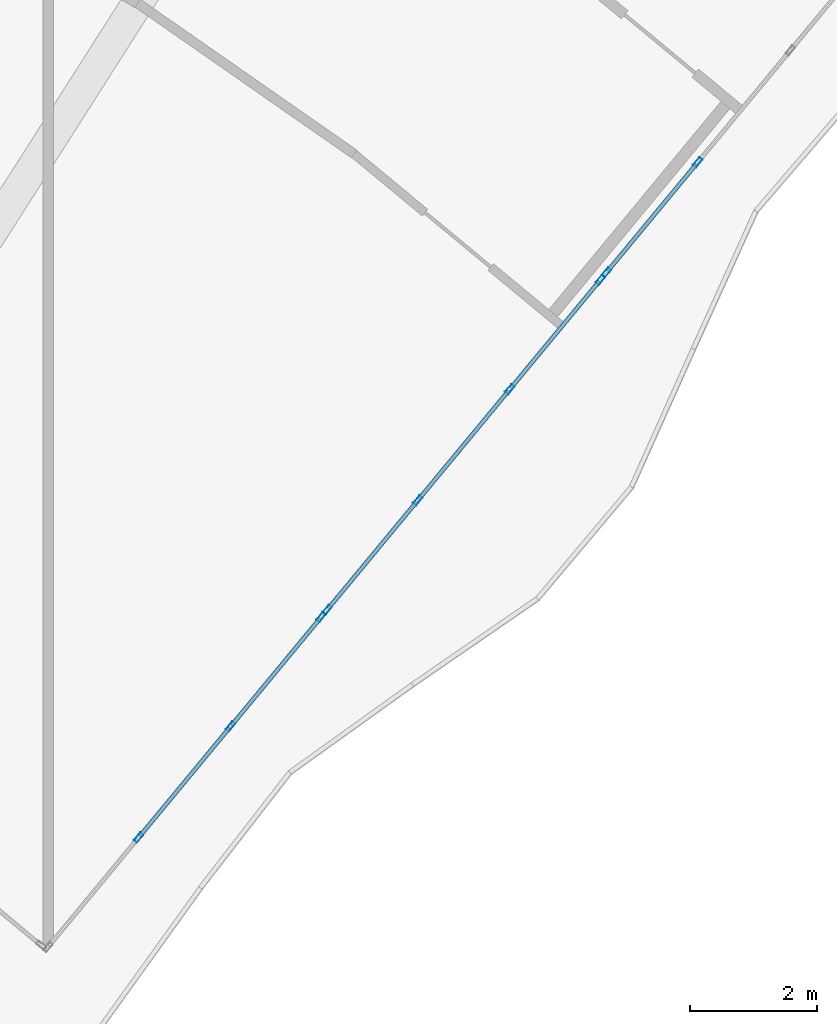
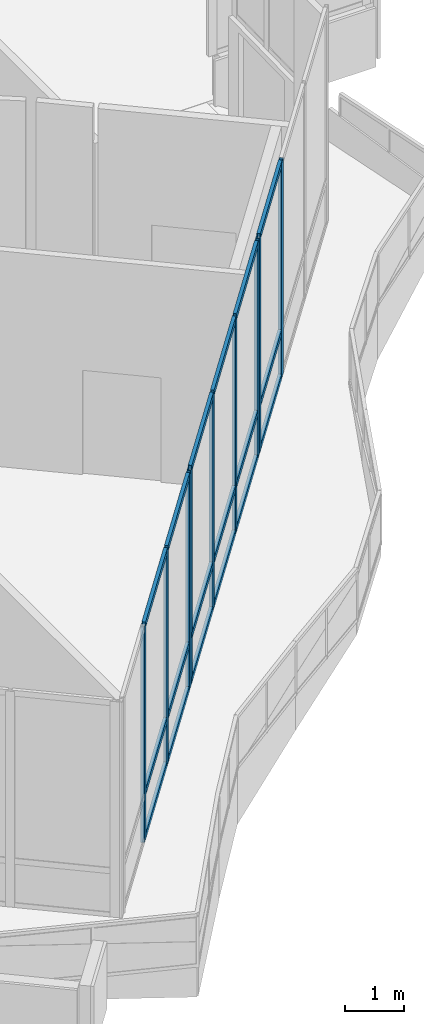
# One storey, part 105 of 168: 27 members, 3 elements without a shape of their own.
"""IFC4 building model written with IfcOpenShell, lengths in metres."""

from ifc_helpers import new_model, si_unit, direction, frame, origin, origin_2d, place, context, subcontext, project, spatial, hollow_rectangle, extrude, material, material_profile, profile_set, type_object, element, aggregate, save


model = new_model("IFC4")

# Units and contexts
model_context = context("Model", 3, precision=1e-05, world=origin(), true_north=direction((0.0, 1.0)))
body_context = subcontext(model_context, "Body", "Model", "MODEL_VIEW")
ifc_project = project(units=[si_unit("LENGTHUNIT", "METRE"), si_unit("AREAUNIT", "SQUARE_METRE"), si_unit("VOLUMEUNIT", "CUBIC_METRE"), si_unit("PLANEANGLEUNIT", "RADIAN"), si_unit("MASSUNIT", "GRAM", prefix="KILO")], contexts=[model_context])

# Site, building, storey
site_placement = place(None, origin())
site = spatial("IfcSite", under=ifc_project, at=site_placement, CompositionType="ELEMENT")
building_placement = place(site_placement, origin())
building = spatial("IfcBuilding", under=site, at=building_placement, Name="Selatvlak General Hospital", CompositionType="ELEMENT")
storey_placement = place(building_placement, frame((0.0, 0.0, 5.39990234375)))
storey = spatial("IfcBuildingStorey", under=building, at=storey_placement, Name="L01", CompositionType="ELEMENT", Elevation=5.39990234375)

# Curtain wall, members
ifc_material_1 = material(Name="Solar-control Low-E double glazing", Category="glass")
curtain_wall_type_1 = type_object("IfcCurtainWallType", Name="CW-CW-01", PredefinedType="USERDEFINED", material=ifc_material_1)
curtain_wall_1_placement = place(storey_placement, origin())
curtain_wall_1 = element("IfcCurtainWall", 1, at=curtain_wall_1_placement, inside=storey, type_object=curtain_wall_type_1, Name="Glazed facade curtain wall CW-L01-0141", ObjectType="UNITISED CURTAIN WALL", PredefinedType="USERDEFINED")
ifc_material_2 = material(Name="Dark anodised aluminium mullion", Category="aluminium")
ifc_material_profile_1 = material_profile(ifc_material_2, hollow_rectangle(XDim=0.06494140625, YDim=0.159912109375, WallThickness=0.00390625, at=origin_2d()), Name="AL-MUL 65x160x4")
ifc_profile_set_1 = profile_set([ifc_material_profile_1], Name="Dark anodised aluminium mullion")
member_type_1 = type_object("IfcMemberType", Name="CWM-01", PredefinedType="MULLION", material=ifc_profile_set_1)
member_1_placement = place(storey_placement, frame((175.862060546875, 56.4013671875, 0.0), z_axis=(0.0, 0.0, 1.0), x_axis=(0.770276263968, -0.637710339549, 0.0)))
member_1 = element("IfcMember", 2, at=member_1_placement, type_object=member_type_1, Name="CW-01 mullion 3", PredefinedType="MULLION", context=body_context, shape_type="SweptSolid", body=[
    extrude(hollow_rectangle(XDim=0.06494140625, YDim=0.159912109375, WallThickness=0.00390625, at=origin_2d()), origin(), (0.0, 0.0, 1.0), 4.445068359375),
])
member_2_placement = place(storey_placement, frame((174.418701171875, 54.657958984375, 0.0), z_axis=(0.0, 0.0, 1.0), x_axis=(0.770276263968, -0.637710339549, 0.0)))
member_2 = element("IfcMember", 3, at=member_2_placement, type_object=member_type_1, Name="CW-01 mullion 4", PredefinedType="MULLION", context=body_context, shape_type="SweptSolid", body=[
    extrude(hollow_rectangle(XDim=0.06494140625, YDim=0.159912109375, WallThickness=0.00390625, at=origin_2d()), origin(), (0.0, 0.0, 1.0), 4.445068359375),
])

curtain_wall_type_2 = type_object("IfcCurtainWallType", Name="CW-CW-02", PredefinedType="USERDEFINED", material=ifc_material_1)
curtain_wall_2_placement = place(storey_placement, origin())
curtain_wall_2 = element("IfcCurtainWall", 4, at=curtain_wall_2_placement, inside=storey, type_object=curtain_wall_type_2, Name="Glazed facade curtain wall CW-L01-0142", ObjectType="UNITISED CURTAIN WALL", PredefinedType="USERDEFINED")
member_3_placement = place(storey_placement, frame((174.3251953125, 54.544921875, 0.0), z_axis=(0.0, 0.0, 1.0), x_axis=(0.770183720122, -0.637822104712, 0.0)))
member_3 = element("IfcMember", 5, at=member_3_placement, type_object=member_type_1, Name="CW-02 mullion 1", PredefinedType="MULLION", context=body_context, shape_type="SweptSolid", body=[
    extrude(hollow_rectangle(XDim=0.06494140625, YDim=0.159912109375, WallThickness=0.00390625, at=origin_2d()), origin(), (0.0, 0.0, 1.0), 4.445068359375),
])
member_4_placement = place(storey_placement, frame((172.892333984375, 52.814697265625, 0.0), z_axis=(0.0, 0.0, 1.0), x_axis=(0.770183720122, -0.637822104712, 0.0)))
member_4 = element("IfcMember", 6, at=member_4_placement, type_object=member_type_1, Name="CW-02 mullion 2", PredefinedType="MULLION", context=body_context, shape_type="SweptSolid", body=[
    extrude(hollow_rectangle(XDim=0.06494140625, YDim=0.159912109375, WallThickness=0.00390625, at=origin_2d()), origin(), (0.0, 0.0, 1.0), 4.445068359375),
])
member_5_placement = place(storey_placement, frame((171.438720703125, 51.059326171875, 0.0), z_axis=(0.0, 0.0, 1.0), x_axis=(0.770183720122, -0.637822104712, 0.0)))
member_5 = element("IfcMember", 7, at=member_5_placement, type_object=member_type_1, Name="CW-02 mullion 3", PredefinedType="MULLION", context=body_context, shape_type="SweptSolid", body=[
    extrude(hollow_rectangle(XDim=0.06494140625, YDim=0.159912109375, WallThickness=0.00390625, at=origin_2d()), origin(), (0.0, 0.0, 1.0), 4.445068359375),
])
member_6_placement = place(storey_placement, frame((170.005615234375, 49.3291015625, 0.0), z_axis=(0.0, 0.0, 1.0), x_axis=(0.770183720122, -0.637822104712, 0.0)))
member_6 = element("IfcMember", 8, at=member_6_placement, type_object=member_type_1, Name="CW-02 mullion 4", PredefinedType="MULLION", context=body_context, shape_type="SweptSolid", body=[
    extrude(hollow_rectangle(XDim=0.06494140625, YDim=0.159912109375, WallThickness=0.00390625, at=origin_2d()), origin(), (0.0, 0.0, 1.0), 4.445068359375),
])

curtain_wall_3_placement = place(storey_placement, origin())
curtain_wall_3 = element("IfcCurtainWall", 9, at=curtain_wall_3_placement, inside=storey, type_object=curtain_wall_type_1, Name="Glazed facade curtain wall CW-L01-0143", ObjectType="UNITISED CURTAIN WALL", PredefinedType="USERDEFINED")
member_7_placement = place(storey_placement, frame((169.912353515625, 49.216064453125, 0.0), z_axis=(0.0, 0.0, 1.0), x_axis=(0.770255568727, -0.637735336049, 0.0)))
member_7 = element("IfcMember", 10, at=member_7_placement, type_object=member_type_1, Name="CW-01 mullion 1", PredefinedType="MULLION", context=body_context, shape_type="SweptSolid", body=[
    extrude(hollow_rectangle(XDim=0.06494140625, YDim=0.159912109375, WallThickness=0.00390625, at=origin_2d()), origin(), (0.0, 0.0, 1.0), 4.445068359375),
])
member_8_placement = place(storey_placement, frame((168.479736328125, 47.485595703125, 0.0), z_axis=(0.0, 0.0, 1.0), x_axis=(0.770255568727, -0.637735336049, 0.0)))
member_8 = element("IfcMember", 11, at=member_8_placement, type_object=member_type_1, Name="CW-01 mullion 2", PredefinedType="MULLION", context=body_context, shape_type="SweptSolid", body=[
    extrude(hollow_rectangle(XDim=0.06494140625, YDim=0.159912109375, WallThickness=0.00390625, at=origin_2d()), origin(), (0.0, 0.0, 1.0), 4.445068359375),
])
member_9_placement = place(storey_placement, frame((167.0263671875, 45.730224609375, 0.0), z_axis=(0.0, 0.0, 1.0), x_axis=(0.770255568727, -0.637735336049, 0.0)))
member_9 = element("IfcMember", 12, at=member_9_placement, type_object=member_type_1, Name="CW-01 mullion 3", PredefinedType="MULLION", context=body_context, shape_type="SweptSolid", body=[
    extrude(hollow_rectangle(XDim=0.06494140625, YDim=0.159912109375, WallThickness=0.00390625, at=origin_2d()), origin(), (0.0, 0.0, 1.0), 4.445068359375),
])

# Member
ifc_material_profile_2 = material_profile(ifc_material_2, hollow_rectangle(XDim=0.06494140625, YDim=0.1201171875, WallThickness=0.00390625, at=origin_2d()), Name="AL-TRN 65x120x4")
ifc_profile_set_2 = profile_set([ifc_material_profile_2], Name="Dark anodised aluminium mullion")
member_type_2 = type_object("IfcMemberType", Name="CWT-01", PredefinedType="USERDEFINED", material=ifc_profile_set_2)
member_10_placement = place(storey_placement, frame((175.84130859375, 56.376220703125, 0.03271484375), z_axis=(-0.637744996287, -0.770247570402, 0.0), x_axis=(0.770247570402, -0.637744996287, 0.0)))
member_10 = element("IfcMember", 13, at=member_10_placement, type_object=member_type_2, Name="CW-01 transom 3.1", ObjectType="TRANSOM", PredefinedType="USERDEFINED", context=body_context, shape_type="SweptSolid", body=[
    extrude(hollow_rectangle(XDim=0.06494140625, YDim=0.1201171875, WallThickness=0.00390625, at=origin_2d()), origin(), (0.0, 0.0, 1.0), 2.1982421875),
])

member_11_placement = place(storey_placement, frame((175.84130859375, 56.376220703125, 0.9501953125), z_axis=(-0.637744996287, -0.770247570402, 0.0), x_axis=(0.770247570402, -0.637744996287, 0.0)))
member_11 = element("IfcMember", 14, at=member_11_placement, type_object=member_type_2, Name="CW-01 transom 3.2", ObjectType="TRANSOM", PredefinedType="USERDEFINED", context=body_context, shape_type="SweptSolid", body=[
    extrude(hollow_rectangle(XDim=0.06494140625, YDim=0.1201171875, WallThickness=0.00390625, at=origin_2d()), origin(), (0.0, 0.0, 1.0), 2.1982421875),
])

member_12_placement = place(storey_placement, frame((175.84130859375, 56.376220703125, 4.41259765625), z_axis=(-0.637744996287, -0.770247570402, 0.0), x_axis=(0.770247570402, -0.637744996287, 0.0)))
member_12 = element("IfcMember", 15, at=member_12_placement, type_object=member_type_2, Name="CW-01 transom 3.3", ObjectType="TRANSOM", PredefinedType="USERDEFINED", context=body_context, shape_type="SweptSolid", body=[
    extrude(hollow_rectangle(XDim=0.06494140625, YDim=0.1201171875, WallThickness=0.00390625, at=origin_2d()), origin(), (0.0, 0.0, 1.0), 2.1982421875),
])

aggregate(curtain_wall_1, [member_1, member_2, member_10, member_11, member_12])

member_13_placement = place(storey_placement, frame((174.304443359375, 54.52001953125, 0.03271484375), z_axis=(-0.637748624589, -0.770244566248, 0.0), x_axis=(0.770244566248, -0.637748624589, 0.0)))
member_13 = element("IfcMember", 16, at=member_13_placement, type_object=member_type_2, Name="CW-02 transom 1.1", ObjectType="TRANSOM", PredefinedType="USERDEFINED", context=body_context, shape_type="SweptSolid", body=[
    extrude(hollow_rectangle(XDim=0.06494140625, YDim=0.1201171875, WallThickness=0.00390625, at=origin_2d()), origin(), (0.0, 0.0, 1.0), 2.181640625),
])

member_14_placement = place(storey_placement, frame((174.304443359375, 54.52001953125, 0.9501953125), z_axis=(-0.637748624589, -0.770244566248, 0.0), x_axis=(0.770244566248, -0.637748624589, 0.0)))
member_14 = element("IfcMember", 17, at=member_14_placement, type_object=member_type_2, Name="CW-02 transom 1.2", ObjectType="TRANSOM", PredefinedType="USERDEFINED", context=body_context, shape_type="SweptSolid", body=[
    extrude(hollow_rectangle(XDim=0.06494140625, YDim=0.1201171875, WallThickness=0.00390625, at=origin_2d()), origin(), (0.0, 0.0, 1.0), 2.181640625),
])

member_15_placement = place(storey_placement, frame((174.304443359375, 54.52001953125, 4.41259765625), z_axis=(-0.637748624589, -0.770244566248, 0.0), x_axis=(0.770244566248, -0.637748624589, 0.0)))
member_15 = element("IfcMember", 18, at=member_15_placement, type_object=member_type_2, Name="CW-02 transom 1.3", ObjectType="TRANSOM", PredefinedType="USERDEFINED", context=body_context, shape_type="SweptSolid", body=[
    extrude(hollow_rectangle(XDim=0.06494140625, YDim=0.1201171875, WallThickness=0.00390625, at=origin_2d()), origin(), (0.0, 0.0, 1.0), 2.181640625),
])

member_16_placement = place(storey_placement, frame((172.87158203125, 52.78955078125, 0.03271484375), z_axis=(-0.637838501564, -0.770170140893, 0.0), x_axis=(0.770170140893, -0.637838501564, 0.0)))
member_16 = element("IfcMember", 19, at=member_16_placement, type_object=member_type_2, Name="CW-02 transom 2.1", ObjectType="TRANSOM", PredefinedType="USERDEFINED", context=body_context, shape_type="SweptSolid", body=[
    extrude(hollow_rectangle(XDim=0.06494140625, YDim=0.1201171875, WallThickness=0.00390625, at=origin_2d()), origin(), (0.0, 0.0, 1.0), 2.2138671875),
])

member_17_placement = place(storey_placement, frame((172.87158203125, 52.78955078125, 0.9501953125), z_axis=(-0.637838501564, -0.770170140893, 0.0), x_axis=(0.770170140893, -0.637838501564, 0.0)))
member_17 = element("IfcMember", 20, at=member_17_placement, type_object=member_type_2, Name="CW-02 transom 2.2", ObjectType="TRANSOM", PredefinedType="USERDEFINED", context=body_context, shape_type="SweptSolid", body=[
    extrude(hollow_rectangle(XDim=0.06494140625, YDim=0.1201171875, WallThickness=0.00390625, at=origin_2d()), origin(), (0.0, 0.0, 1.0), 2.2138671875),
])

member_18_placement = place(storey_placement, frame((172.87158203125, 52.78955078125, 4.41259765625), z_axis=(-0.637838501564, -0.770170140893, 0.0), x_axis=(0.770170140893, -0.637838501564, 0.0)))
member_18 = element("IfcMember", 21, at=member_18_placement, type_object=member_type_2, Name="CW-02 transom 2.3", ObjectType="TRANSOM", PredefinedType="USERDEFINED", context=body_context, shape_type="SweptSolid", body=[
    extrude(hollow_rectangle(XDim=0.06494140625, YDim=0.1201171875, WallThickness=0.00390625, at=origin_2d()), origin(), (0.0, 0.0, 1.0), 2.2138671875),
])

member_19_placement = place(storey_placement, frame((171.41796875, 51.034423828125, 0.03271484375), z_axis=(-0.637815008322, -0.770189596891, 0.0), x_axis=(0.770189596891, -0.637815008322, 0.0)))
member_19 = element("IfcMember", 22, at=member_19_placement, type_object=member_type_2, Name="CW-02 transom 3.1", ObjectType="TRANSOM", PredefinedType="USERDEFINED", context=body_context, shape_type="SweptSolid", body=[
    extrude(hollow_rectangle(XDim=0.06494140625, YDim=0.1201171875, WallThickness=0.00390625, at=origin_2d()), origin(), (0.0, 0.0, 1.0), 2.181884765625),
])

member_20_placement = place(storey_placement, frame((171.41796875, 51.034423828125, 0.9501953125), z_axis=(-0.637815008322, -0.770189596891, 0.0), x_axis=(0.770189596891, -0.637815008322, 0.0)))
member_20 = element("IfcMember", 23, at=member_20_placement, type_object=member_type_2, Name="CW-02 transom 3.2", ObjectType="TRANSOM", PredefinedType="USERDEFINED", context=body_context, shape_type="SweptSolid", body=[
    extrude(hollow_rectangle(XDim=0.06494140625, YDim=0.1201171875, WallThickness=0.00390625, at=origin_2d()), origin(), (0.0, 0.0, 1.0), 2.181884765625),
])

member_21_placement = place(storey_placement, frame((171.41796875, 51.034423828125, 4.41259765625), z_axis=(-0.637815008322, -0.770189596891, 0.0), x_axis=(0.770189596891, -0.637815008322, 0.0)))
member_21 = element("IfcMember", 24, at=member_21_placement, type_object=member_type_2, Name="CW-02 transom 3.3", ObjectType="TRANSOM", PredefinedType="USERDEFINED", context=body_context, shape_type="SweptSolid", body=[
    extrude(hollow_rectangle(XDim=0.06494140625, YDim=0.1201171875, WallThickness=0.00390625, at=origin_2d()), origin(), (0.0, 0.0, 1.0), 2.181884765625),
])

aggregate(curtain_wall_2, [member_3, member_4, member_5, member_6, member_13, member_14, member_15, member_16, member_17, member_18, member_19, member_20, member_21])

member_22_placement = place(storey_placement, frame((169.8916015625, 49.19091796875, 0.03271484375), z_axis=(-0.637737202299, -0.770254023556, 0.0), x_axis=(0.770254023556, -0.637737202299, 0.0)))
member_22 = element("IfcMember", 25, at=member_22_placement, type_object=member_type_2, Name="CW-01 transom 1.1", ObjectType="TRANSOM", PredefinedType="USERDEFINED", context=body_context, shape_type="SweptSolid", body=[
    extrude(hollow_rectangle(XDim=0.06494140625, YDim=0.1201171875, WallThickness=0.00390625, at=origin_2d()), origin(), (0.0, 0.0, 1.0), 2.181396484375),
])

member_23_placement = place(storey_placement, frame((169.8916015625, 49.19091796875, 0.9501953125), z_axis=(-0.637737202299, -0.770254023556, 0.0), x_axis=(0.770254023556, -0.637737202299, 0.0)))
member_23 = element("IfcMember", 26, at=member_23_placement, type_object=member_type_2, Name="CW-01 transom 1.2", ObjectType="TRANSOM", PredefinedType="USERDEFINED", context=body_context, shape_type="SweptSolid", body=[
    extrude(hollow_rectangle(XDim=0.06494140625, YDim=0.1201171875, WallThickness=0.00390625, at=origin_2d()), origin(), (0.0, 0.0, 1.0), 2.181396484375),
])

member_24_placement = place(storey_placement, frame((169.8916015625, 49.19091796875, 4.41259765625), z_axis=(-0.637737202299, -0.770254023556, 0.0), x_axis=(0.770254023556, -0.637737202299, 0.0)))
member_24 = element("IfcMember", 27, at=member_24_placement, type_object=member_type_2, Name="CW-01 transom 1.3", ObjectType="TRANSOM", PredefinedType="USERDEFINED", context=body_context, shape_type="SweptSolid", body=[
    extrude(hollow_rectangle(XDim=0.06494140625, YDim=0.1201171875, WallThickness=0.00390625, at=origin_2d()), origin(), (0.0, 0.0, 1.0), 2.181396484375),
])

member_25_placement = place(storey_placement, frame((168.458984375, 47.460693359375, 0.03271484375), z_axis=(-0.637718911245, -0.770269167395, 0.0), x_axis=(0.770269167395, -0.637718911245, 0.0)))
member_25 = element("IfcMember", 28, at=member_25_placement, type_object=member_type_2, Name="CW-01 transom 2.1", ObjectType="TRANSOM", PredefinedType="USERDEFINED", context=body_context, shape_type="SweptSolid", body=[
    extrude(hollow_rectangle(XDim=0.06494140625, YDim=0.1201171875, WallThickness=0.00390625, at=origin_2d()), origin(), (0.0, 0.0, 1.0), 2.2138671875),
])

member_26_placement = place(storey_placement, frame((168.458984375, 47.460693359375, 0.9501953125), z_axis=(-0.637718911245, -0.770269167395, 0.0), x_axis=(0.770269167395, -0.637718911245, 0.0)))
member_26 = element("IfcMember", 29, at=member_26_placement, type_object=member_type_2, Name="CW-01 transom 2.2", ObjectType="TRANSOM", PredefinedType="USERDEFINED", context=body_context, shape_type="SweptSolid", body=[
    extrude(hollow_rectangle(XDim=0.06494140625, YDim=0.1201171875, WallThickness=0.00390625, at=origin_2d()), origin(), (0.0, 0.0, 1.0), 2.2138671875),
])

member_27_placement = place(storey_placement, frame((168.458984375, 47.460693359375, 4.41259765625), z_axis=(-0.637718911245, -0.770269167395, 0.0), x_axis=(0.770269167395, -0.637718911245, 0.0)))
member_27 = element("IfcMember", 30, at=member_27_placement, type_object=member_type_2, Name="CW-01 transom 2.3", ObjectType="TRANSOM", PredefinedType="USERDEFINED", context=body_context, shape_type="SweptSolid", body=[
    extrude(hollow_rectangle(XDim=0.06494140625, YDim=0.1201171875, WallThickness=0.00390625, at=origin_2d()), origin(), (0.0, 0.0, 1.0), 2.2138671875),
])

aggregate(curtain_wall_3, [member_7, member_8, member_9, member_22, member_23, member_24, member_25, member_26, member_27])

save(model, "model.ifc")
